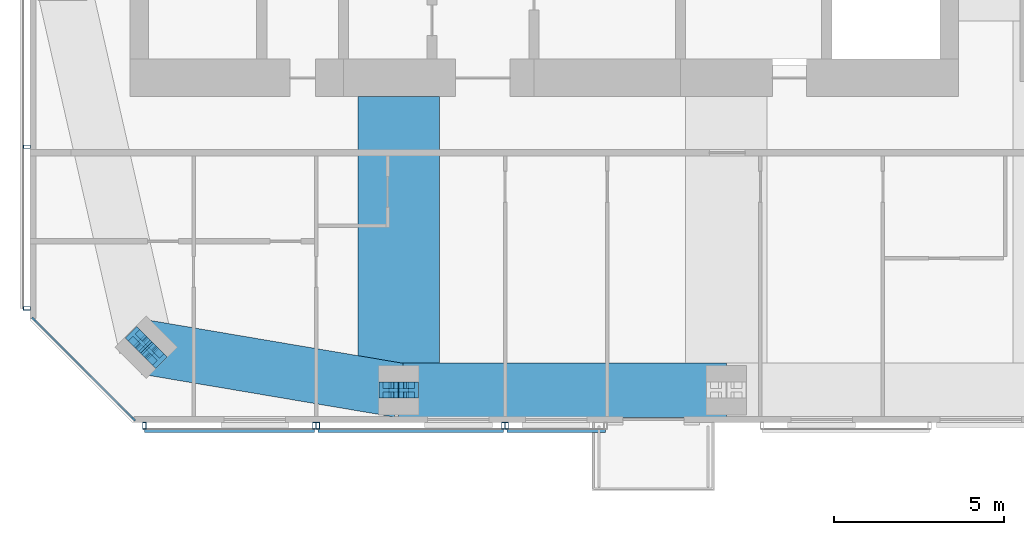
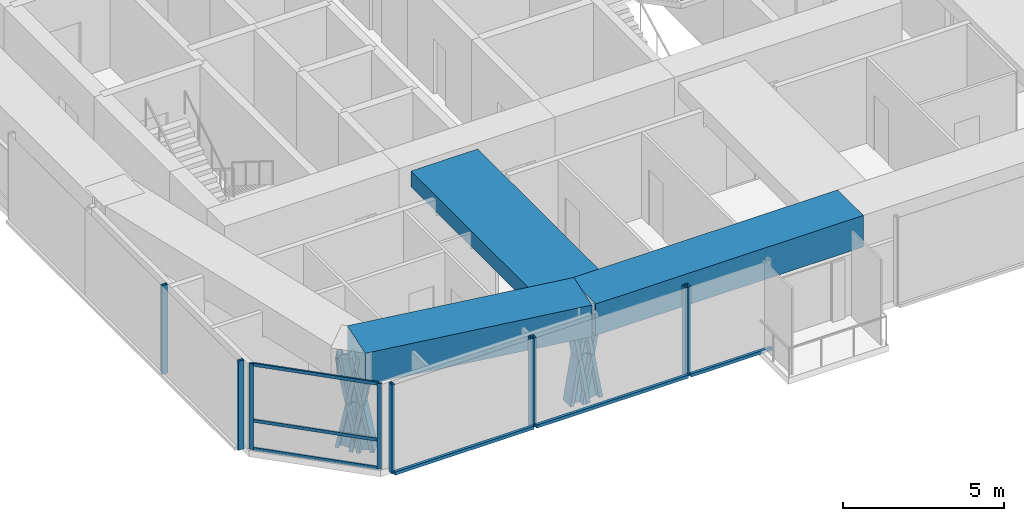
# One storey, part 2 of 18: 23 members, 3 beams, 5 elements without a shape of their own.
"""IFC4 building model written with IfcOpenShell, lengths in metres."""

from ifc_helpers import new_model, si_unit, direction, frame, origin, origin_2d, place, context, subcontext, project, spatial, rectangle, hollow_rectangle, i_section, extrude, material, material_profile, profile_set, type_object, element, aggregate, save


model = new_model("IFC4")

# Units and contexts
model_context = context("Model", 3, precision=1e-05, world=origin(), true_north=direction((0.0, 1.0)))
body_context = subcontext(model_context, "Body", "Model", "MODEL_VIEW")
ifc_project = project(units=[si_unit("LENGTHUNIT", "METRE"), si_unit("AREAUNIT", "SQUARE_METRE"), si_unit("VOLUMEUNIT", "CUBIC_METRE"), si_unit("PLANEANGLEUNIT", "RADIAN"), si_unit("MASSUNIT", "GRAM", prefix="KILO")], contexts=[model_context])

# Site, building, storey
site_placement = place(None, origin())
site = spatial("IfcSite", under=ifc_project, at=site_placement, CompositionType="ELEMENT")
building_placement = place(site_placement, origin())
building = spatial("IfcBuilding", under=site, at=building_placement, Name="Jalousie Tower", CompositionType="ELEMENT")
storey_placement = place(building_placement, frame((0.0, 0.0, 256.449951171875)))
storey = spatial("IfcBuildingStorey", under=building, at=storey_placement, Name="L70", CompositionType="ELEMENT", Elevation=256.449951171875)

# Curtain wall, members
ifc_material_1 = material(Name="Aluminium curtain wall", Category="aluminium")
curtain_wall_type_1 = type_object("IfcCurtainWallType", Name="CORNER WINDOW WALL", PredefinedType="USERDEFINED", material=ifc_material_1)
curtain_wall_1_placement = place(storey_placement, origin())
curtain_wall_1 = element("IfcCurtainWall", 1, at=curtain_wall_1_placement, inside=storey, type_object=curtain_wall_type_1, Name="Corner Window Wall L70 8", ObjectType="CORNER WINDOW WALL", PredefinedType="USERDEFINED")
ifc_material_2 = material(Name="Aluminium mullion", Category="aluminium")
ifc_material_profile_1 = material_profile(ifc_material_2, rectangle(XDim=0.06005859375, YDim=0.14990234375, at=origin_2d()), Name="MULLION 60x150")
ifc_profile_set_1 = profile_set([ifc_material_profile_1], Name="Aluminium mullion")
member_type_1 = type_object("IfcMemberType", Name="CORNER WINDOW WALL MULLION", PredefinedType="MULLION", material=ifc_profile_set_1)
member_1_placement = place(storey_placement, frame((16.90869140625, 3.030029296875, 0.0), z_axis=(0.0, 0.0, 1.0), x_axis=(0.707106781187, 0.707106781187, 0.0)))
member_1 = element("IfcMember", 2, at=member_1_placement, type_object=member_type_1, Name="CW-C mullion 1", PredefinedType="MULLION", context=body_context, shape_type="SweptSolid", body=[
    extrude(rectangle(XDim=0.06005859375, YDim=0.14990234375, at=origin_2d()), origin(), (0.0, 0.0, 1.0), 3.260009765625),
])
member_2_placement = place(storey_placement, frame((19.830078125, 0.108642578125, 0.0), z_axis=(0.0, 0.0, 1.0), x_axis=(0.707106781187, 0.707106781187, 0.0)))
member_2 = element("IfcMember", 3, at=member_2_placement, type_object=member_type_1, Name="CW-C mullion 2", PredefinedType="MULLION", context=body_context, shape_type="SweptSolid", body=[
    extrude(rectangle(XDim=0.06005859375, YDim=0.14990234375, at=origin_2d()), origin(), (0.0, 0.0, 1.0), 3.260009765625),
])
ifc_material_3 = material(Name="Aluminium transom", Category="aluminium")
ifc_material_profile_2 = material_profile(ifc_material_3, rectangle(XDim=0.06005859375, YDim=0.1201171875, at=origin_2d()), Name="TRANSOM 60x120")
ifc_profile_set_2 = profile_set([ifc_material_profile_2], Name="Aluminium transom")
member_type_2 = type_object("IfcMemberType", Name="CORNER WINDOW WALL TRANSOM", PredefinedType="USERDEFINED", material=ifc_profile_set_2)
member_3_placement = place(storey_placement, frame((16.929931640625, 3.0087890625, 0.030029296875), z_axis=(0.707106781187, -0.707106781187, 0.0), x_axis=(0.707106781187, 0.707106781187, 0.0)))
member_3 = element("IfcMember", 4, at=member_3_placement, type_object=member_type_2, Name="CW-C transom 1.1", ObjectType="TRANSOM", PredefinedType="USERDEFINED", context=body_context, shape_type="SweptSolid", body=[
    extrude(rectangle(XDim=0.06005859375, YDim=0.1201171875, at=origin_2d()), origin(), (0.0, 0.0, 1.0), 4.0712890625),
])
member_4_placement = place(storey_placement, frame((16.929931640625, 3.0087890625, 1.10009765625), z_axis=(0.707106781187, -0.707106781187, 0.0), x_axis=(0.707106781187, 0.707106781187, 0.0)))
member_4 = element("IfcMember", 5, at=member_4_placement, type_object=member_type_2, Name="CW-C transom 1.2", ObjectType="TRANSOM", PredefinedType="USERDEFINED", context=body_context, shape_type="SweptSolid", body=[
    extrude(rectangle(XDim=0.06005859375, YDim=0.1201171875, at=origin_2d()), origin(), (0.0, 0.0, 1.0), 4.0712890625),
])
member_5_placement = place(storey_placement, frame((16.929931640625, 3.0087890625, 3.22998046875), z_axis=(0.707106781187, -0.707106781187, 0.0), x_axis=(0.707106781187, 0.707106781187, 0.0)))
member_5 = element("IfcMember", 6, at=member_5_placement, type_object=member_type_2, Name="CW-C transom 1.3", ObjectType="TRANSOM", PredefinedType="USERDEFINED", context=body_context, shape_type="SweptSolid", body=[
    extrude(rectangle(XDim=0.06005859375, YDim=0.1201171875, at=origin_2d()), origin(), (0.0, 0.0, 1.0), 4.0712890625),
])
aggregate(curtain_wall_1, [member_1, member_2, member_3, member_4, member_5])

# Members
ifc_material_4 = material(Name="Steel ASTM A992 Grade 50", Category="steel")
ifc_material_profile_3 = material_profile(ifc_material_4, i_section(OverallWidth=0.472412109375, OverallDepth=0.5791015625, WebThickness=0.094970703125, FlangeThickness=0.1298828125, at=origin_2d()), Name="W14X808")
ifc_profile_set_3 = profile_set([ifc_material_profile_3], Name="Steel ASTM A992 Grade 50")
member_type_3 = type_object("IfcMemberType", Name="PERIMETER BRACE W14X808", PredefinedType="BRACE", material=ifc_profile_set_3)
for number, where, z_axis, x_axis, name in (
    (7, (19.959716796875, 2.45458984375, -0.599853515625), (0.138579250682, -0.138716051522, 0.980588419435), (0.707455539091, 0.706757851183, 0.0), "Perimeter brace 01 L70 part 1"),
    (8, (20.20703125, 2.20703125, 1.150146484375), (0.138716051522, -0.138579250682, 0.980588419435), (0.706757851183, 0.707455539091, 0.0), "Perimeter brace 01 L70 part 2"),
    (9, (20.45458984375, 1.959716796875, -0.599853515625), (-0.138716051522, 0.138579250682, 0.980588419435), (-0.706757851183, -0.707455539091, 0.0), "Perimeter brace 01 L70 part 3"),
    (10, (20.20703125, 2.20703125, 1.150146484375), (-0.138579250682, 0.138716051522, 0.980588419435), (-0.707455539091, -0.706757851183, 0.0), "Perimeter brace 01 L70 part 4"),
):
    element("IfcMember", number, at=place(storey_placement, frame(where, z_axis=z_axis, x_axis=x_axis)), inside=storey, type_object=member_type_3, Name=name, PredefinedType="BRACE", context=body_context, shape_type="SweptSolid", body=[
        extrude(i_section(OverallWidth=0.472412109375, OverallDepth=0.5791015625, WebThickness=0.094970703125, FlangeThickness=0.1298828125, at=origin_2d()), origin(), (0.0, 0.0, 1.0), 1.78466796875),
    ])
for number, where, z_axis, x_axis, name in (
    (11, (27.324951171875, 0.949951171875, -0.599853515625), (0.168990530437, 0.0, 0.98561767467), (0.0, 1.0, 0.0), "Perimeter brace 02 L70 part 1"),
    (12, (27.625, 0.949951171875, 1.150146484375), (0.168990530437, 0.0, 0.98561767467), (0.0, 1.0, 0.0), "Perimeter brace 02 L70 part 2"),
    (13, (27.925048828125, 0.949951171875, -0.599853515625), (-0.168990530437, 0.0, 0.98561767467), (0.0, -1.0, 0.0), "Perimeter brace 02 L70 part 3"),
    (14, (27.625, 0.949951171875, 1.150146484375), (-0.168990530437, 0.0, 0.98561767467), (0.0, -1.0, 0.0), "Perimeter brace 02 L70 part 4"),
):
    element("IfcMember", number, at=place(storey_placement, frame(where, z_axis=z_axis, x_axis=x_axis)), inside=storey, type_object=member_type_3, Name=name, PredefinedType="BRACE", context=body_context, shape_type="SweptSolid", body=[
        extrude(i_section(OverallWidth=0.472412109375, OverallDepth=0.5791015625, WebThickness=0.094970703125, FlangeThickness=0.1298828125, at=origin_2d()), origin(), (0.0, 0.0, 1.0), 1.775634765625),
    ])

# Beams
ifc_material_5 = material(Name="Concrete f'c 40 MPa", Category="concrete")
ifc_material_profile_4 = material_profile(ifc_material_5, rectangle(XDim=1.60009765625, YDim=1.199951171875, at=origin_2d()), Name="RC 1600x1200")
ifc_profile_set_4 = profile_set([ifc_material_profile_4], Name="Concrete f'c 40 MPa")
beam_type_1 = type_object("IfcBeamType", Name="RC BEAM 1600x1200", PredefinedType="BEAM", material=ifc_profile_set_4)
beam_1_placement = place(storey_placement, frame((20.20703125, 2.20703125, 2.900146484375), z_axis=(0.985942997446, -0.167082033105, 0.0), x_axis=(0.167082033105, 0.985942997446, 0.0)))
element("IfcBeam", 15, at=beam_1_placement, inside=storey, type_object=beam_type_1, Name="Edge band beam 01-02 under L71", PredefinedType="BEAM", context=body_context, shape_type="SweptSolid", body=[
    extrude(rectangle(XDim=1.60009765625, YDim=1.199951171875, at=origin_2d()), origin(), (0.0, 0.0, 1.0), 7.523681640625),
])
beam_2_placement = place(storey_placement, frame((27.625, 0.949951171875, 2.900146484375), z_axis=(1.0, 0.0, 0.0), x_axis=(0.0, 1.0, 0.0)))
element("IfcBeam", 16, at=beam_2_placement, inside=storey, type_object=beam_type_1, Name="Edge band beam 02-03 under L71", PredefinedType="BEAM", context=body_context, shape_type="SweptSolid", body=[
    extrude(rectangle(XDim=1.60009765625, YDim=1.199951171875, at=origin_2d()), origin(), (0.0, 0.0, 1.0), 9.625),
])
ifc_material_6 = material(Name="Concrete f'c 40 MPa", Category="concrete")
ifc_material_profile_5 = material_profile(ifc_material_6, rectangle(XDim=2.39990234375, YDim=0.60009765625, at=origin_2d()), Name="RC 2400x600")
ifc_profile_set_5 = profile_set([ifc_material_profile_5], Name="Concrete f'c 40 MPa")
beam_type_2 = type_object("IfcBeamType", Name="RC BEAM 2400x600", PredefinedType="BEAM", material=ifc_profile_set_5)
beam_3_placement = place(storey_placement, frame((27.625, 0.949951171875, 2.9599609375), z_axis=(0.0, 1.0, 0.0), x_axis=(-1.0, 0.0, 0.0)))
element("IfcBeam", 17, at=beam_3_placement, inside=storey, type_object=beam_type_2, Name="Floor band beam under L71", PredefinedType="BEAM", context=body_context, shape_type="SweptSolid", body=[
    extrude(rectangle(XDim=2.39990234375, YDim=0.60009765625, at=origin_2d()), origin(), (0.0, 0.0, 1.0), 8.625),
])

# Curtain wall, members
ifc_material_7 = material(Name="Perforated aluminium sheet", Category="aluminium")
curtain_wall_type_2 = type_object("IfcCurtainWallType", Name="SOLAR SCREEN SS-2", PredefinedType="USERDEFINED", material=ifc_material_7)
curtain_wall_2_placement = place(storey_placement, origin())
curtain_wall_2 = element("IfcCurtainWall", 18, at=curtain_wall_2_placement, inside=storey, type_object=curtain_wall_type_2, Name="Solar screen L70", ObjectType="SOLAR SCREEN SS-2", PredefinedType="USERDEFINED")
ifc_material_8 = material(Name="Steel ASTM A500 Grade C", Category="steel")
ifc_material_profile_6 = material_profile(ifc_material_8, hollow_rectangle(XDim=0.1015625, YDim=0.203125, WallThickness=0.0078125, at=origin_2d()), Name="HSS8X4X5/16")
ifc_profile_set_6 = profile_set([ifc_material_profile_6], Name="Steel ASTM A500 Grade C")
member_type_4 = type_object("IfcMemberType", Name="SOLAR SCREEN SS-2 MULLION", PredefinedType="MULLION", material=ifc_profile_set_6)
member_6_placement = place(storey_placement, frame((20.1513671875, -0.0966796875, -0.119873046875), z_axis=(0.0, 0.0, 1.0), x_axis=(1.0, 0.0, 0.0)))
member_6 = element("IfcMember", 19, at=member_6_placement, type_object=member_type_4, Name="SS2 post 1", PredefinedType="MULLION", context=body_context, shape_type="SweptSolid", body=[
    extrude(hollow_rectangle(XDim=0.1015625, YDim=0.203125, WallThickness=0.0078125, at=origin_2d()), origin(), (0.0, 0.0, 1.0), 3.3798828125),
])
member_7_placement = place(storey_placement, frame((25.14990234375, -0.0966796875, -0.119873046875), z_axis=(0.0, 0.0, 1.0), x_axis=(1.0, 0.0, 0.0)))
member_7 = element("IfcMember", 20, at=member_7_placement, type_object=member_type_4, Name="SS2 post 2", PredefinedType="MULLION", context=body_context, shape_type="SweptSolid", body=[
    extrude(hollow_rectangle(XDim=0.1015625, YDim=0.203125, WallThickness=0.0078125, at=origin_2d()), origin(), (0.0, 0.0, 1.0), 3.3798828125),
])

curtain_wall_3_placement = place(storey_placement, origin())
curtain_wall_3 = element("IfcCurtainWall", 21, at=curtain_wall_3_placement, inside=storey, type_object=curtain_wall_type_2, Name="Solar screen L70", ObjectType="SOLAR SCREEN SS-2", PredefinedType="USERDEFINED")
member_8_placement = place(storey_placement, frame((25.25, -0.0966796875, -0.119873046875), z_axis=(0.0, 0.0, 1.0), x_axis=(1.0, 0.0, 0.0)))
member_8 = element("IfcMember", 22, at=member_8_placement, type_object=member_type_4, Name="SS2 post 1", PredefinedType="MULLION", context=body_context, shape_type="SweptSolid", body=[
    extrude(hollow_rectangle(XDim=0.1015625, YDim=0.203125, WallThickness=0.0078125, at=origin_2d()), origin(), (0.0, 0.0, 1.0), 3.3798828125),
])
member_9_placement = place(storey_placement, frame((30.699951171875, -0.0966796875, -0.119873046875), z_axis=(0.0, 0.0, 1.0), x_axis=(1.0, 0.0, 0.0)))
member_9 = element("IfcMember", 23, at=member_9_placement, type_object=member_type_4, Name="SS2 post 2", PredefinedType="MULLION", context=body_context, shape_type="SweptSolid", body=[
    extrude(hollow_rectangle(XDim=0.1015625, YDim=0.203125, WallThickness=0.0078125, at=origin_2d()), origin(), (0.0, 0.0, 1.0), 3.3798828125),
])

# Curtain wall, member
curtain_wall_4_placement = place(storey_placement, origin())
curtain_wall_4 = element("IfcCurtainWall", 24, at=curtain_wall_4_placement, inside=storey, type_object=curtain_wall_type_2, Name="Solar screen L70", ObjectType="SOLAR SCREEN SS-2", PredefinedType="USERDEFINED")
member_10_placement = place(storey_placement, frame((30.800048828125, -0.0966796875, -0.119873046875), z_axis=(0.0, 0.0, 1.0), x_axis=(1.0, 0.0, 0.0)))
member_10 = element("IfcMember", 25, at=member_10_placement, type_object=member_type_4, Name="SS2 post 1", PredefinedType="MULLION", context=body_context, shape_type="SweptSolid", body=[
    extrude(hollow_rectangle(XDim=0.1015625, YDim=0.203125, WallThickness=0.0078125, at=origin_2d()), origin(), (0.0, 0.0, 1.0), 3.3798828125),
])

# Curtain wall, members
curtain_wall_5_placement = place(storey_placement, origin())
curtain_wall_5 = element("IfcCurtainWall", 26, at=curtain_wall_5_placement, inside=storey, type_object=curtain_wall_type_2, Name="Solar screen L70", ObjectType="SOLAR SCREEN SS-2", PredefinedType="USERDEFINED")
member_11_placement = place(storey_placement, frame((16.703369140625, 8.100830078125, -0.119873046875), z_axis=(0.0, 0.0, 1.0), x_axis=(0.0, -1.0, 0.0)))
member_11 = element("IfcMember", 27, at=member_11_placement, type_object=member_type_4, Name="SS2 post 3", PredefinedType="MULLION", context=body_context, shape_type="SweptSolid", body=[
    extrude(hollow_rectangle(XDim=0.1015625, YDim=0.203125, WallThickness=0.0078125, at=origin_2d()), origin(), (0.0, 0.0, 1.0), 3.3798828125),
])
member_12_placement = place(storey_placement, frame((16.703369140625, 3.351318359375, -0.119873046875), z_axis=(0.0, 0.0, 1.0), x_axis=(0.0, -1.0, 0.0)))
member_12 = element("IfcMember", 28, at=member_12_placement, type_object=member_type_4, Name="SS2 post 4", PredefinedType="MULLION", context=body_context, shape_type="SweptSolid", body=[
    extrude(hollow_rectangle(XDim=0.1015625, YDim=0.203125, WallThickness=0.0078125, at=origin_2d()), origin(), (0.0, 0.0, 1.0), 3.3798828125),
])
aggregate(curtain_wall_5, [member_11, member_12])

# Member
ifc_material_9 = material(Name="Extruded aluminium screen rail", Category="aluminium")
ifc_material_profile_7 = material_profile(ifc_material_9, rectangle(XDim=0.1015625, YDim=0.1201171875, at=origin_2d()), Name="RAIL 102x120")
ifc_profile_set_7 = profile_set([ifc_material_profile_7], Name="Extruded aluminium screen rail")
member_type_5 = type_object("IfcMemberType", Name="SOLAR SCREEN SS-2 TRANSOM", PredefinedType="USERDEFINED", material=ifc_profile_set_7)
member_13_placement = place(storey_placement, frame((20.1513671875, -0.2490234375, -0.06005859375), z_axis=(1.0, 0.0, 0.0), x_axis=(0.0, 1.0, 0.0)))
member_13 = element("IfcMember", 29, at=member_13_placement, type_object=member_type_5, Name="SS2 rail", ObjectType="TRANSOM", PredefinedType="USERDEFINED", context=body_context, shape_type="SweptSolid", body=[
    extrude(rectangle(XDim=0.1015625, YDim=0.1201171875, at=origin_2d()), origin(), (0.0, 0.0, 1.0), 4.99853515625),
])

aggregate(curtain_wall_2, [member_6, member_7, member_13])

member_14_placement = place(storey_placement, frame((25.25, -0.2490234375, -0.06005859375), z_axis=(1.0, 0.0, 0.0), x_axis=(0.0, 1.0, 0.0)))
member_14 = element("IfcMember", 30, at=member_14_placement, type_object=member_type_5, Name="SS2 rail", ObjectType="TRANSOM", PredefinedType="USERDEFINED", context=body_context, shape_type="SweptSolid", body=[
    extrude(rectangle(XDim=0.1015625, YDim=0.1201171875, at=origin_2d()), origin(), (0.0, 0.0, 1.0), 5.449951171875),
])

aggregate(curtain_wall_3, [member_8, member_9, member_14])

member_15_placement = place(storey_placement, frame((30.800048828125, -0.2490234375, -0.06005859375), z_axis=(1.0, 0.0, 0.0), x_axis=(0.0, 1.0, 0.0)))
member_15 = element("IfcMember", 31, at=member_15_placement, type_object=member_type_5, Name="SS2 rail", ObjectType="TRANSOM", PredefinedType="USERDEFINED", context=body_context, shape_type="SweptSolid", body=[
    extrude(rectangle(XDim=0.1015625, YDim=0.1201171875, at=origin_2d()), origin(), (0.0, 0.0, 1.0), 2.89990234375),
])

aggregate(curtain_wall_4, [member_10, member_15])

save(model, "model.ifc")
